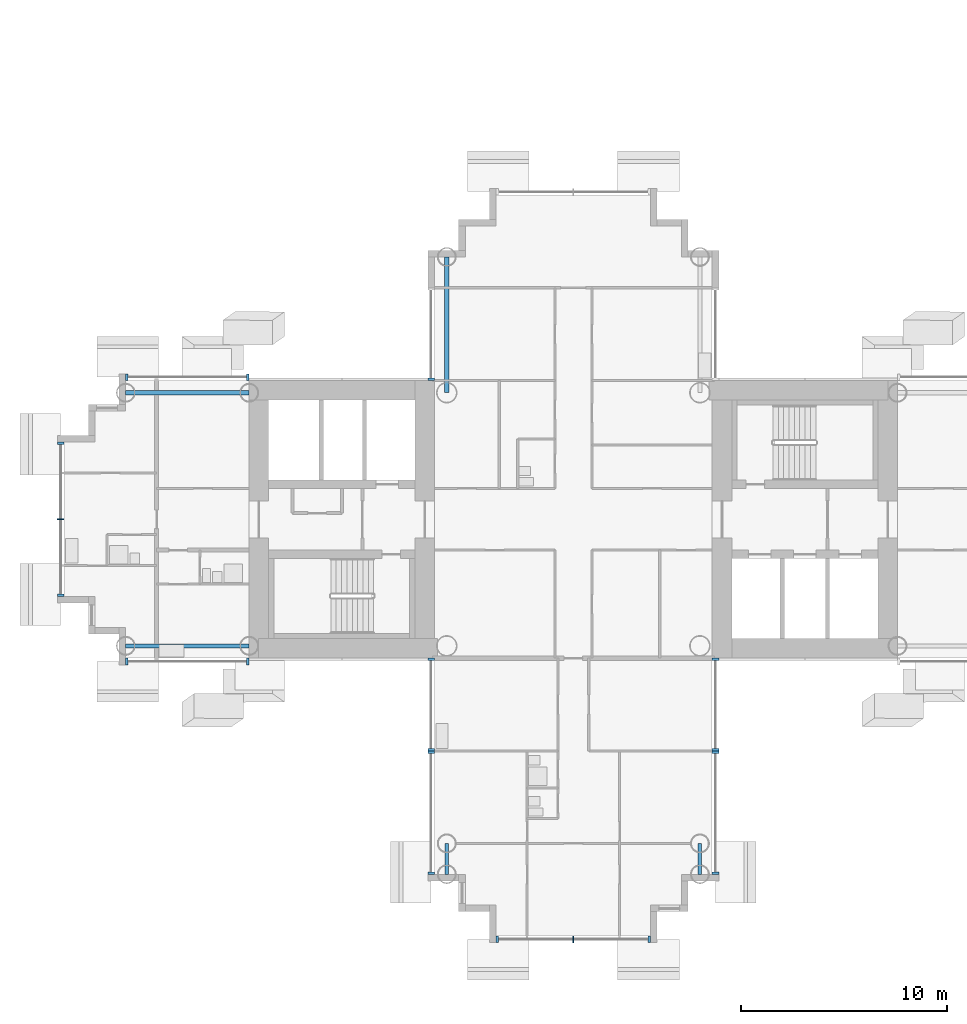
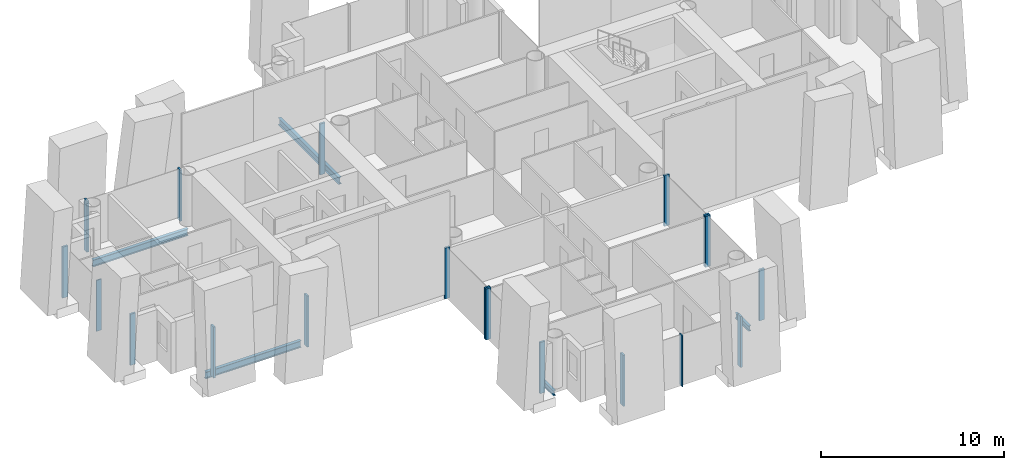
# One storey, part 3 of 21: 19 members, 5 beams, 9 elements without a shape of their own.
"""IFC4 building model written with IfcOpenShell, lengths in metres."""

from ifc_helpers import new_model, si_unit, direction, frame, origin, origin_2d, place, context, subcontext, project, spatial, rectangle, i_section, extrude, material, layer, layer_set, material_profile, profile_set, type_object, element, aggregate, save


model = new_model("IFC4")

# Units and contexts
model_context = context("Model", 3, precision=1e-05, world=origin(), true_north=direction((0.0, 1.0)))
body_context = subcontext(model_context, "Body", "Model", "MODEL_VIEW")
ifc_project = project(units=[si_unit("LENGTHUNIT", "METRE"), si_unit("AREAUNIT", "SQUARE_METRE"), si_unit("VOLUMEUNIT", "CUBIC_METRE"), si_unit("PLANEANGLEUNIT", "RADIAN"), si_unit("MASSUNIT", "GRAM", prefix="KILO")], contexts=[model_context])

# Site, building, storey
site_placement = place(None, origin())
site = spatial("IfcSite", under=ifc_project, at=site_placement, CompositionType="ELEMENT")
building_placement = place(site_placement, origin())
building = spatial("IfcBuilding", under=site, at=building_placement, Name="Ipe Terrace Towers", CompositionType="ELEMENT")
storey_placement = place(building_placement, frame((0.0, 0.0, 86.800048828125)))
storey = spatial("IfcBuildingStorey", under=building, at=storey_placement, Name="L23", CompositionType="ELEMENT", Elevation=86.800048828125)

# Beams
ifc_material_1 = material(Name="Steel S355", Category="steel")
ifc_material_profile_1 = material_profile(ifc_material_1, i_section(OverallWidth=0.175048828125, OverallDepth=0.35009765625, WebThickness=0.007080078125, FlangeThickness=0.010986328125, at=origin_2d()), Name="H-350x175x7x11")
ifc_profile_set_1 = profile_set([ifc_material_profile_1], Name="Steel S355")
beam_type_1 = type_object("IfcBeamType", Name="H04 EDGE BEAM H-350x175x7x11", PredefinedType="BEAM", material=ifc_profile_set_1)
for number, where, z_axis, x_axis, name in (
    (1, (-42.14990234375, -15.75, -0.574951171875), (0.0, -1.0, 0.0), (1.0, 0.0, 0.0), "Edge beam T1-EB-D03-D05"),
    (2, (-29.85009765625, -15.75, -0.574951171875), (0.0, -1.0, 0.0), (1.0, 0.0, 0.0), "Edge beam T1-EB-D04-D06"),
):
    element("IfcBeam", number, at=place(storey_placement, frame(where, z_axis=z_axis, x_axis=x_axis)), inside=storey, type_object=beam_type_1, Name=name, PredefinedType="BEAM", context=body_context, shape_type="SweptSolid", body=[
        extrude(i_section(OverallWidth=0.175048828125, OverallDepth=0.35009765625, WebThickness=0.007080078125, FlangeThickness=0.010986328125, at=origin_2d()), origin(), (0.0, 0.0, 1.0), 1.5),
    ])
ifc_material_2 = material(Name="Steel S355", Category="steel")
ifc_material_profile_2 = material_profile(ifc_material_2, i_section(OverallWidth=0.199951171875, OverallDepth=0.449951171875, WebThickness=0.009033203125, FlangeThickness=0.013916015625, at=origin_2d()), Name="H-450x200x9x14")
ifc_profile_set_2 = profile_set([ifc_material_profile_2], Name="Steel S355")
beam_type_2 = type_object("IfcBeamType", Name="H08 EDGE BEAM H-450x200x9x14", PredefinedType="BEAM", material=ifc_profile_set_2)
beam_placement = place(storey_placement, frame((-42.14990234375, 12.75, -0.625), z_axis=(0.0, -1.0, 0.0), x_axis=(1.0, 0.0, 0.0)))
element("IfcBeam", 3, at=beam_placement, inside=storey, type_object=beam_type_2, Name="Edge beam T1-EB-B02-E04", PredefinedType="BEAM", context=body_context, shape_type="SweptSolid", body=[
    extrude(i_section(OverallWidth=0.199951171875, OverallDepth=0.449951171875, WebThickness=0.009033203125, FlangeThickness=0.013916015625, at=origin_2d()), origin(), (0.0, 0.0, 1.0), 6.60009765625),
])
for number, where, z_axis, x_axis, name in (
    (4, (-51.75, -6.14990234375, -0.625), (-1.0, 0.0, 0.0), (0.0, -1.0, 0.0), "Edge beam T1-EB-C01-C03"),
    (5, (-51.75, 6.14990234375, -0.625), (-1.0, 0.0, 0.0), (0.0, -1.0, 0.0), "Edge beam T1-EB-C02-C04"),
):
    element("IfcBeam", number, at=place(storey_placement, frame(where, z_axis=z_axis, x_axis=x_axis)), inside=storey, type_object=beam_type_2, Name=name, PredefinedType="BEAM", context=body_context, shape_type="SweptSolid", body=[
        extrude(i_section(OverallWidth=0.199951171875, OverallDepth=0.449951171875, WebThickness=0.009033203125, FlangeThickness=0.013916015625, at=origin_2d()), origin(), (0.0, 0.0, 1.0), 6.0),
    ])

# Curtain wall, members
ifc_material_3 = material(Name="Aluminium alloy 6063-T6", Category="aluminium")
ifc_layer = layer(ifc_material_3, 0.320068359375)
ifc_layer_set = layer_set([ifc_layer], Name="TOWER UNITISED CURTAIN WALL")
curtain_wall_type = type_object("IfcCurtainWallType", Name="TOWER UNITISED CURTAIN WALL", PredefinedType="NOTDEFINED", material=ifc_layer_set)
curtain_wall_1_placement = place(storey_placement, origin())
curtain_wall_1 = element("IfcCurtainWall", 6, at=curtain_wall_1_placement, inside=storey, type_object=curtain_wall_type, Name="T1-CW-L23-04a curtain wall", PredefinedType="NOTDEFINED")
ifc_material_4 = material(Name="Aluminium alloy 6063-T6", Category="aluminium")
ifc_material_profile_3 = material_profile(ifc_material_4, rectangle(XDim=0.320068359375, YDim=0.1201171875, at=origin_2d()), Name="TOWER UNITISED CORNER MULLION 320 x 120")
ifc_profile_set_3 = profile_set([ifc_material_profile_3], Name="Aluminium alloy 6063-T6")
member_type_1 = type_object("IfcMemberType", Name="TOWER UNITISED CORNER MULLION 320 x 120", PredefinedType="MULLION", material=ifc_profile_set_3)
member_1_placement = place(storey_placement, frame((-57.68994140625, -6.909912109375, -0.300048828125), z_axis=(0.0, 0.0, 1.0), x_axis=(0.0, -1.0, 0.0)))
member_1 = element("IfcMember", 7, at=member_1_placement, type_object=member_type_1, Name="T1-CW-L23-04a mullion 1", PredefinedType="MULLION", context=body_context, shape_type="SweptSolid", body=[
    extrude(rectangle(XDim=0.320068359375, YDim=0.1201171875, at=origin_2d()), origin(), (0.0, 0.0, 1.0), 3.39990234375),
])
member_2_placement = place(storey_placement, frame((-51.81103515625, -6.909912109375, -0.300048828125), z_axis=(0.0, 0.0, 1.0), x_axis=(0.0, -1.0, 0.0)))
member_2 = element("IfcMember", 8, at=member_2_placement, type_object=member_type_1, Name="T1-CW-L23-04a mullion 2", PredefinedType="MULLION", context=body_context, shape_type="SweptSolid", body=[
    extrude(rectangle(XDim=0.320068359375, YDim=0.1201171875, at=origin_2d()), origin(), (0.0, 0.0, 1.0), 3.39990234375),
])
aggregate(curtain_wall_1, [member_1, member_2])

curtain_wall_2_placement = place(storey_placement, origin())
curtain_wall_2 = element("IfcCurtainWall", 9, at=curtain_wall_2_placement, inside=storey, type_object=curtain_wall_type, Name="T1-CW-L23-06a curtain wall", PredefinedType="NOTDEFINED")
member_3_placement = place(storey_placement, frame((-42.909912109375, -6.81005859375, -0.300048828125), z_axis=(0.0, 0.0, 1.0), x_axis=(-1.0, 0.0, 0.0)))
member_3 = element("IfcMember", 10, at=member_3_placement, type_object=member_type_1, Name="T1-CW-L23-06a mullion 1", PredefinedType="MULLION", context=body_context, shape_type="SweptSolid", body=[
    extrude(rectangle(XDim=0.320068359375, YDim=0.1201171875, at=origin_2d()), origin(), (0.0, 0.0, 1.0), 3.39990234375),
])
member_4_placement = place(storey_placement, frame((-42.909912109375, -11.18994140625, -0.300048828125), z_axis=(0.0, 0.0, 1.0), x_axis=(-1.0, 0.0, 0.0)))
member_4 = element("IfcMember", 11, at=member_4_placement, type_object=member_type_1, Name="T1-CW-L23-06a mullion 2", PredefinedType="MULLION", context=body_context, shape_type="SweptSolid", body=[
    extrude(rectangle(XDim=0.320068359375, YDim=0.1201171875, at=origin_2d()), origin(), (0.0, 0.0, 1.0), 3.39990234375),
])
aggregate(curtain_wall_2, [member_3, member_4])

curtain_wall_3_placement = place(storey_placement, origin())
curtain_wall_3 = element("IfcCurtainWall", 12, at=curtain_wall_3_placement, inside=storey, type_object=curtain_wall_type, Name="T1-CW-L23-07a curtain wall", PredefinedType="NOTDEFINED")
member_5_placement = place(storey_placement, frame((-42.909912109375, -11.31005859375, -0.300048828125), z_axis=(0.0, 0.0, 1.0), x_axis=(-1.0, 0.0, 0.0)))
member_5 = element("IfcMember", 13, at=member_5_placement, type_object=member_type_1, Name="T1-CW-L23-07a mullion 1", PredefinedType="MULLION", context=body_context, shape_type="SweptSolid", body=[
    extrude(rectangle(XDim=0.320068359375, YDim=0.1201171875, at=origin_2d()), origin(), (0.0, 0.0, 1.0), 3.39990234375),
])
member_6_placement = place(storey_placement, frame((-42.909912109375, -17.18994140625, -0.300048828125), z_axis=(0.0, 0.0, 1.0), x_axis=(-1.0, 0.0, 0.0)))
member_6 = element("IfcMember", 14, at=member_6_placement, type_object=member_type_1, Name="T1-CW-L23-07a mullion 2", PredefinedType="MULLION", context=body_context, shape_type="SweptSolid", body=[
    extrude(rectangle(XDim=0.320068359375, YDim=0.1201171875, at=origin_2d()), origin(), (0.0, 0.0, 1.0), 3.39990234375),
])
aggregate(curtain_wall_3, [member_5, member_6])

curtain_wall_4_placement = place(storey_placement, origin())
curtain_wall_4 = element("IfcCurtainWall", 15, at=curtain_wall_4_placement, inside=storey, type_object=curtain_wall_type, Name="T1-CW-L23-12a curtain wall", PredefinedType="NOTDEFINED")
member_7_placement = place(storey_placement, frame((-39.68994140625, -20.409912109375, -0.300048828125), z_axis=(0.0, 0.0, 1.0), x_axis=(0.0, -1.0, 0.0)))
member_7 = element("IfcMember", 16, at=member_7_placement, type_object=member_type_1, Name="T1-CW-L23-12a mullion 1", PredefinedType="MULLION", context=body_context, shape_type="SweptSolid", body=[
    extrude(rectangle(XDim=0.320068359375, YDim=0.1201171875, at=origin_2d()), origin(), (0.0, 0.0, 1.0), 3.39990234375),
])
member_8_placement = place(storey_placement, frame((-32.31005859375, -20.409912109375, -0.300048828125), z_axis=(0.0, 0.0, 1.0), x_axis=(0.0, -1.0, 0.0)))
member_8 = element("IfcMember", 17, at=member_8_placement, type_object=member_type_1, Name="T1-CW-L23-12a mullion 3", PredefinedType="MULLION", context=body_context, shape_type="SweptSolid", body=[
    extrude(rectangle(XDim=0.320068359375, YDim=0.1201171875, at=origin_2d()), origin(), (0.0, 0.0, 1.0), 3.39990234375),
])

curtain_wall_5_placement = place(storey_placement, origin())
curtain_wall_5 = element("IfcCurtainWall", 18, at=curtain_wall_5_placement, inside=storey, type_object=curtain_wall_type, Name="T1-CW-L23-17a curtain wall", PredefinedType="NOTDEFINED")
member_9_placement = place(storey_placement, frame((-29.090087890625, -17.18994140625, -0.300048828125), z_axis=(0.0, 0.0, 1.0), x_axis=(1.0, 0.0, 0.0)))
member_9 = element("IfcMember", 19, at=member_9_placement, type_object=member_type_1, Name="T1-CW-L23-17a mullion 1", PredefinedType="MULLION", context=body_context, shape_type="SweptSolid", body=[
    extrude(rectangle(XDim=0.320068359375, YDim=0.1201171875, at=origin_2d()), origin(), (0.0, 0.0, 1.0), 3.39990234375),
])
member_10_placement = place(storey_placement, frame((-29.090087890625, -11.31005859375, -0.300048828125), z_axis=(0.0, 0.0, 1.0), x_axis=(1.0, 0.0, 0.0)))
member_10 = element("IfcMember", 20, at=member_10_placement, type_object=member_type_1, Name="T1-CW-L23-17a mullion 2", PredefinedType="MULLION", context=body_context, shape_type="SweptSolid", body=[
    extrude(rectangle(XDim=0.320068359375, YDim=0.1201171875, at=origin_2d()), origin(), (0.0, 0.0, 1.0), 3.39990234375),
])
aggregate(curtain_wall_5, [member_9, member_10])

curtain_wall_6_placement = place(storey_placement, origin())
curtain_wall_6 = element("IfcCurtainWall", 21, at=curtain_wall_6_placement, inside=storey, type_object=curtain_wall_type, Name="T1-CW-L23-18a curtain wall", PredefinedType="NOTDEFINED")
member_11_placement = place(storey_placement, frame((-29.090087890625, -11.18994140625, -0.300048828125), z_axis=(0.0, 0.0, 1.0), x_axis=(1.0, 0.0, 0.0)))
member_11 = element("IfcMember", 22, at=member_11_placement, type_object=member_type_1, Name="T1-CW-L23-18a mullion 1", PredefinedType="MULLION", context=body_context, shape_type="SweptSolid", body=[
    extrude(rectangle(XDim=0.320068359375, YDim=0.1201171875, at=origin_2d()), origin(), (0.0, 0.0, 1.0), 3.39990234375),
])
member_12_placement = place(storey_placement, frame((-29.090087890625, -6.81005859375, -0.300048828125), z_axis=(0.0, 0.0, 1.0), x_axis=(1.0, 0.0, 0.0)))
member_12 = element("IfcMember", 23, at=member_12_placement, type_object=member_type_1, Name="T1-CW-L23-18a mullion 2", PredefinedType="MULLION", context=body_context, shape_type="SweptSolid", body=[
    extrude(rectangle(XDim=0.320068359375, YDim=0.1201171875, at=origin_2d()), origin(), (0.0, 0.0, 1.0), 3.39990234375),
])
aggregate(curtain_wall_6, [member_11, member_12])

# Curtain wall, member
curtain_wall_7_placement = place(storey_placement, origin())
curtain_wall_7 = element("IfcCurtainWall", 24, at=curtain_wall_7_placement, inside=storey, type_object=curtain_wall_type, Name="T1-CW-L23-44a curtain wall", PredefinedType="NOTDEFINED")
member_13_placement = place(storey_placement, frame((-42.909912109375, 6.81005859375, -0.300048828125), z_axis=(0.0, 0.0, 1.0), x_axis=(-1.0, 0.0, 0.0)))
member_13 = element("IfcMember", 25, at=member_13_placement, type_object=member_type_1, Name="T1-CW-L23-44a mullion 2", PredefinedType="MULLION", context=body_context, shape_type="SweptSolid", body=[
    extrude(rectangle(XDim=0.320068359375, YDim=0.1201171875, at=origin_2d()), origin(), (0.0, 0.0, 1.0), 3.39990234375),
])
aggregate(curtain_wall_7, [member_13])

# Curtain wall, members
curtain_wall_8_placement = place(storey_placement, origin())
curtain_wall_8 = element("IfcCurtainWall", 26, at=curtain_wall_8_placement, inside=storey, type_object=curtain_wall_type, Name="T1-CW-L23-46b curtain wall", PredefinedType="NOTDEFINED")
member_14_placement = place(storey_placement, frame((-51.81103515625, 6.909912109375, -0.300048828125), z_axis=(0.0, 0.0, 1.0), x_axis=(0.0, 1.0, 0.0)))
member_14 = element("IfcMember", 27, at=member_14_placement, type_object=member_type_1, Name="T1-CW-L23-46b mullion 1", PredefinedType="MULLION", context=body_context, shape_type="SweptSolid", body=[
    extrude(rectangle(XDim=0.320068359375, YDim=0.1201171875, at=origin_2d()), origin(), (0.0, 0.0, 1.0), 3.39990234375),
])
member_15_placement = place(storey_placement, frame((-57.68994140625, 6.909912109375, -0.300048828125), z_axis=(0.0, 0.0, 1.0), x_axis=(0.0, 1.0, 0.0)))
member_15 = element("IfcMember", 28, at=member_15_placement, type_object=member_type_1, Name="T1-CW-L23-46b mullion 2", PredefinedType="MULLION", context=body_context, shape_type="SweptSolid", body=[
    extrude(rectangle(XDim=0.320068359375, YDim=0.1201171875, at=origin_2d()), origin(), (0.0, 0.0, 1.0), 3.39990234375),
])
aggregate(curtain_wall_8, [member_14, member_15])

curtain_wall_9_placement = place(storey_placement, origin())
curtain_wall_9 = element("IfcCurtainWall", 29, at=curtain_wall_9_placement, inside=storey, type_object=curtain_wall_type, Name="T1-CW-L23-51a curtain wall", PredefinedType="NOTDEFINED")
member_16_placement = place(storey_placement, frame((-60.909912109375, 3.68994140625, -0.300048828125), z_axis=(0.0, 0.0, 1.0), x_axis=(-1.0, 0.0, 0.0)))
member_16 = element("IfcMember", 30, at=member_16_placement, type_object=member_type_1, Name="T1-CW-L23-51a mullion 1", PredefinedType="MULLION", context=body_context, shape_type="SweptSolid", body=[
    extrude(rectangle(XDim=0.320068359375, YDim=0.1201171875, at=origin_2d()), origin(), (0.0, 0.0, 1.0), 3.39990234375),
])
member_17_placement = place(storey_placement, frame((-60.909912109375, -3.68994140625, -0.300048828125), z_axis=(0.0, 0.0, 1.0), x_axis=(-1.0, 0.0, 0.0)))
member_17 = element("IfcMember", 31, at=member_17_placement, type_object=member_type_1, Name="T1-CW-L23-51a mullion 3", PredefinedType="MULLION", context=body_context, shape_type="SweptSolid", body=[
    extrude(rectangle(XDim=0.320068359375, YDim=0.1201171875, at=origin_2d()), origin(), (0.0, 0.0, 1.0), 3.39990234375),
])

# Member
ifc_material_5 = material(Name="Aluminium alloy 6063-T6", Category="aluminium")
ifc_material_profile_4 = material_profile(ifc_material_5, rectangle(XDim=0.320068359375, YDim=0.06494140625, at=origin_2d()), Name="TOWER UNITISED MULLION 320 x 65")
ifc_profile_set_4 = profile_set([ifc_material_profile_4], Name="Aluminium alloy 6063-T6")
member_type_2 = type_object("IfcMemberType", Name="TOWER UNITISED MULLION 320 x 65", PredefinedType="MULLION", material=ifc_profile_set_4)
member_18_placement = place(storey_placement, frame((-36.0, -20.409912109375, -0.300048828125), z_axis=(0.0, 0.0, 1.0), x_axis=(0.0, -1.0, 0.0)))
member_18 = element("IfcMember", 32, at=member_18_placement, type_object=member_type_2, Name="T1-CW-L23-12a mullion 2", PredefinedType="MULLION", context=body_context, shape_type="SweptSolid", body=[
    extrude(rectangle(XDim=0.320068359375, YDim=0.06494140625, at=origin_2d()), origin(), (0.0, 0.0, 1.0), 3.39990234375),
])

aggregate(curtain_wall_4, [member_7, member_18, member_8])

member_19_placement = place(storey_placement, frame((-60.909912109375, 0.0, -0.300048828125), z_axis=(0.0, 0.0, 1.0), x_axis=(-1.0, 0.0, 0.0)))
member_19 = element("IfcMember", 33, at=member_19_placement, type_object=member_type_2, Name="T1-CW-L23-51a mullion 2", PredefinedType="MULLION", context=body_context, shape_type="SweptSolid", body=[
    extrude(rectangle(XDim=0.320068359375, YDim=0.06494140625, at=origin_2d()), origin(), (0.0, 0.0, 1.0), 3.39990234375),
])

aggregate(curtain_wall_9, [member_16, member_19, member_17])

save(model, "model.ifc")
